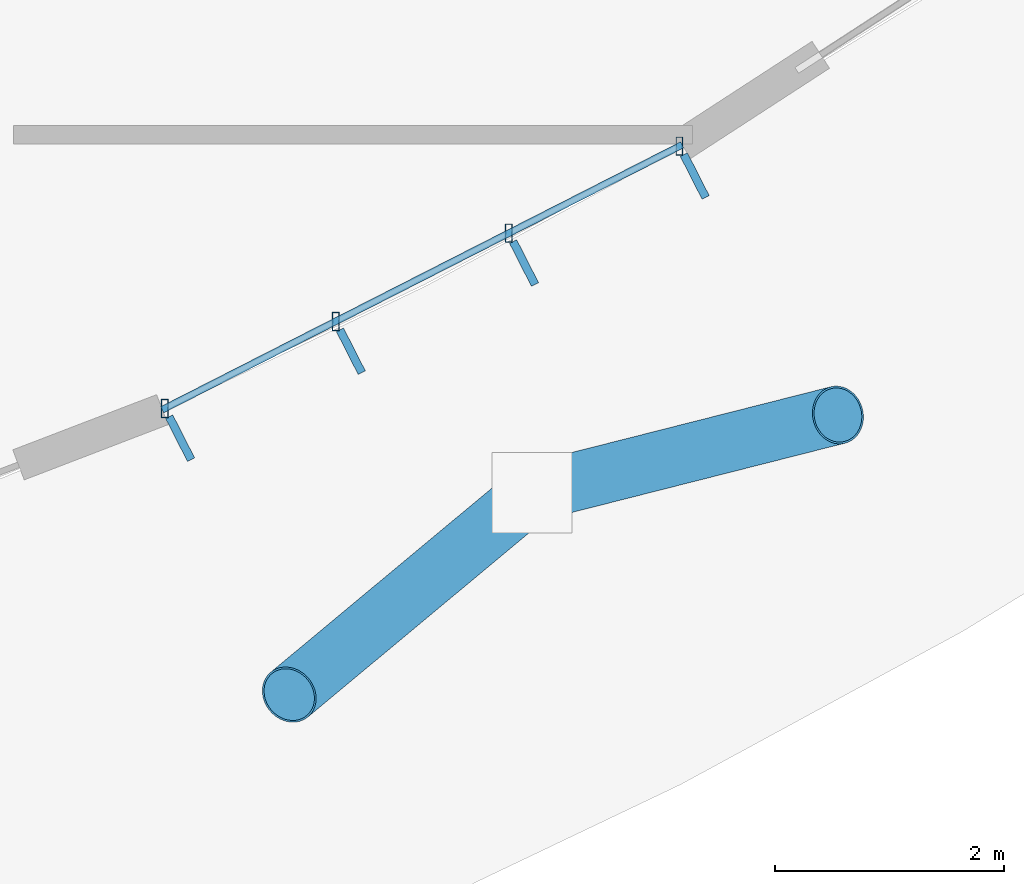
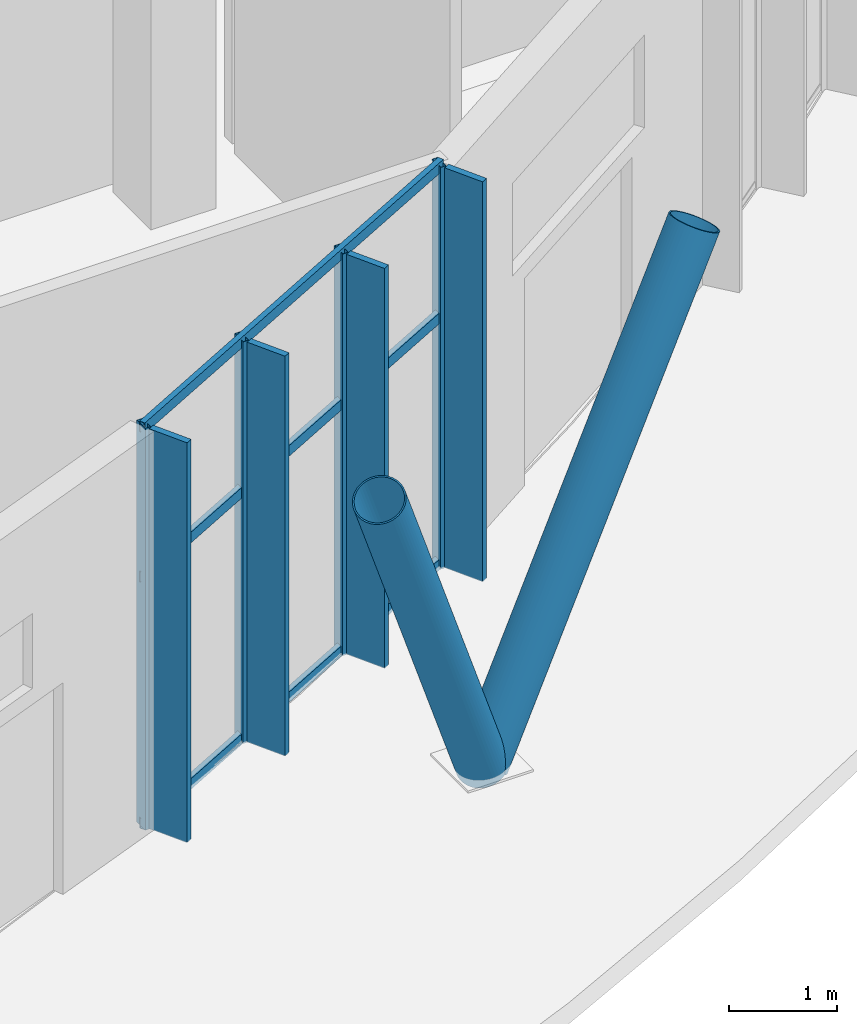
# One storey, part 69 of 151: 13 members, 1 element without a shape of its own.
"""IFC4 building model written with IfcOpenShell, lengths in metres."""

from ifc_helpers import new_model, si_unit, direction, frame, origin, origin_2d, place, context, subcontext, project, spatial, rectangle, hollow_rectangle, hollow_circle, extrude, material, material_profile, profile_set, type_object, element, aggregate, save


model = new_model("IFC4")

# Units and contexts
model_context = context("Model", 3, precision=1e-05, world=origin(), true_north=direction((0.0, 1.0)))
body_context = subcontext(model_context, "Body", "Model", "MODEL_VIEW")
ifc_project = project(units=[si_unit("LENGTHUNIT", "METRE"), si_unit("AREAUNIT", "SQUARE_METRE"), si_unit("VOLUMEUNIT", "CUBIC_METRE"), si_unit("PLANEANGLEUNIT", "RADIAN"), si_unit("MASSUNIT", "GRAM", prefix="KILO")], contexts=[model_context])

# Site, building, storey
site_placement = place(None, origin())
site = spatial("IfcSite", under=ifc_project, at=site_placement, CompositionType="ELEMENT")
building_placement = place(site_placement, origin())
building = spatial("IfcBuilding", under=site, at=building_placement, Name="Chiffa Square Polytechnic", CompositionType="ELEMENT")
storey_placement = place(building_placement, origin())
storey = spatial("IfcBuildingStorey", under=building, at=storey_placement, Name="L00", CompositionType="ELEMENT", Elevation=0.0)

# Members
ifc_material_1 = material(Name="Steel S355", Category="steel")
ifc_material_profile_1 = material_profile(ifc_material_1, hollow_circle(Radius=0.25390625, WallThickness=0.01611328125, at=origin_2d()), Name="CHS 508x16")
ifc_profile_set_1 = profile_set([ifc_material_profile_1], Name="Steel S355")
member_type_1 = type_object("IfcMemberType", Name="COL-VSTRUT-508", PredefinedType="STRUT", material=ifc_profile_set_1)
member_1_placement = place(storey_placement, frame((146.19091796875, 12.22802734375, 0.0), z_axis=(-0.382526073042, -0.318382040035, 0.867356143707), x_axis=(0.639722188078, -0.768606220428, 0.0)))
element("IfcMember", 1, at=member_1_placement, inside=storey, type_object=member_type_1, Name="Prow steel V-strut CV-V1-L00-04L", PredefinedType="STRUT", context=body_context, shape_type="SweptSolid", body=[
    extrude(hollow_circle(Radius=0.25390625, WallThickness=0.01611328125, at=origin_2d()), origin(), (0.0, 0.0, 1.0), 5.5341796875),
])
member_2_placement = place(storey_placement, frame((146.19091796875, 12.22802734375, 0.0), z_axis=(0.482339567832, 0.122338573273, 0.867399455149), x_axis=(-0.245851092901, 0.969307608615, 0.0)))
element("IfcMember", 2, at=member_2_placement, inside=storey, type_object=member_type_1, Name="Prow steel V-strut CV-V1-L00-04R", PredefinedType="STRUT", context=body_context, shape_type="SweptSolid", body=[
    extrude(hollow_circle(Radius=0.25390625, WallThickness=0.01611328125, at=origin_2d()), origin(), (0.0, 0.0, 1.0), 5.533935546875),
])

# Curtain wall, members
ifc_material_2 = material(Name="Aluminium EN AW-6060 T66 and glulam shading", Category="wood")
curtain_wall_type = type_object("IfcCurtainWallType", Name="CW-VERT-600X380", PredefinedType="USERDEFINED", material=ifc_material_2)
curtain_wall_placement = place(storey_placement, origin())
curtain_wall = element("IfcCurtainWall", 3, at=curtain_wall_placement, inside=storey, type_object=curtain_wall_type, Name="Curtain wall CW-V1-L00-004", ObjectType="CURTAIN WALL", PredefinedType="USERDEFINED")
ifc_material_3 = material(Name="Aluminium EN AW-6060 T66", Category="aluminium")
ifc_material_profile_2 = material_profile(ifc_material_3, hollow_rectangle(XDim=0.06005859375, YDim=0.159912109375, WallThickness=0.00390625, at=origin_2d()), Name="ALU 60x160x4")
ifc_profile_set_2 = profile_set([ifc_material_profile_2], Name="Aluminium EN AW-6060 T66")
member_type_2 = type_object("IfcMemberType", Name="CWM-ALU-65X150", PredefinedType="MULLION", material=ifc_profile_set_2)
member_3_placement = place(storey_placement, frame((142.989013671875, 12.962890625, -0.02001953125), z_axis=(0.0, 0.0, 1.0), x_axis=(1.0, 0.0, 0.0)))
member_3 = element("IfcMember", 4, at=member_3_placement, type_object=member_type_2, Name="Curtain wall mullion CW-V1-L00-004-M00", PredefinedType="MULLION", context=body_context, shape_type="SweptSolid", body=[
    extrude(hollow_rectangle(XDim=0.06005859375, YDim=0.159912109375, WallThickness=0.00390625, at=origin_2d()), origin(), (0.0, 0.0, 1.0), 4.554931640625),
])
member_4_placement = place(storey_placement, frame((144.47802734375, 13.721923828125, -0.02001953125), z_axis=(0.0, 0.0, 1.0), x_axis=(1.0, 0.0, 0.0)))
member_4 = element("IfcMember", 5, at=member_4_placement, type_object=member_type_2, Name="Curtain wall mullion CW-V1-L00-004-M01", PredefinedType="MULLION", context=body_context, shape_type="SweptSolid", body=[
    extrude(hollow_rectangle(XDim=0.06005859375, YDim=0.159912109375, WallThickness=0.00390625, at=origin_2d()), origin(), (0.0, 0.0, 1.0), 4.554931640625),
])
member_5_placement = place(storey_placement, frame((145.989013671875, 14.490966796875, -0.02001953125), z_axis=(0.0, 0.0, 1.0), x_axis=(1.0, 0.0, 0.0)))
member_5 = element("IfcMember", 6, at=member_5_placement, type_object=member_type_2, Name="Curtain wall mullion CW-V1-L00-004-M02", PredefinedType="MULLION", context=body_context, shape_type="SweptSolid", body=[
    extrude(hollow_rectangle(XDim=0.06005859375, YDim=0.159912109375, WallThickness=0.00390625, at=origin_2d()), origin(), (0.0, 0.0, 1.0), 4.554931640625),
])
member_6_placement = place(storey_placement, frame((147.47802734375, 15.25, -0.02001953125), z_axis=(0.0, 0.0, 1.0), x_axis=(1.0, 0.0, 0.0)))
member_6 = element("IfcMember", 7, at=member_6_placement, type_object=member_type_2, Name="Curtain wall mullion CW-V1-L00-004-M03", PredefinedType="MULLION", context=body_context, shape_type="SweptSolid", body=[
    extrude(hollow_rectangle(XDim=0.06005859375, YDim=0.159912109375, WallThickness=0.00390625, at=origin_2d()), origin(), (0.0, 0.0, 1.0), 4.554931640625),
])
ifc_material_4 = material(Name="Glulam GL28h", Category="wood")
ifc_material_profile_3 = material_profile(ifc_material_4, rectangle(XDim=0.070068359375, YDim=0.419921875, at=origin_2d()), Name="GL28h 70x420")
ifc_profile_set_3 = profile_set([ifc_material_profile_3], Name="Glulam GL28h")
member_type_3 = type_object("IfcMemberType", Name="CWM-GL-70X420", PredefinedType="MULLION", material=ifc_profile_set_3)
member_7_placement = place(storey_placement, frame((143.1220703125, 12.702880859375, -0.010009765625), z_axis=(0.0, 0.0, 1.0), x_axis=(0.891061982941, 0.453881639369, 0.0)))
member_7 = element("IfcMember", 8, at=member_7_placement, type_object=member_type_3, Name="Exterior glulam solar fin CW-V1-L00-004-FN00", PredefinedType="MULLION", context=body_context, shape_type="SweptSolid", body=[
    extrude(rectangle(XDim=0.070068359375, YDim=0.419921875, at=origin_2d()), origin(), (0.0, 0.0, 1.0), 4.534912109375),
])
member_8_placement = place(storey_placement, frame((144.611083984375, 13.4619140625, -0.010009765625), z_axis=(0.0, 0.0, 1.0), x_axis=(0.891061982941, 0.453881639369, 0.0)))
member_8 = element("IfcMember", 9, at=member_8_placement, type_object=member_type_3, Name="Exterior glulam solar fin CW-V1-L00-004-FN01", PredefinedType="MULLION", context=body_context, shape_type="SweptSolid", body=[
    extrude(rectangle(XDim=0.070068359375, YDim=0.419921875, at=origin_2d()), origin(), (0.0, 0.0, 1.0), 4.534912109375),
])
member_9_placement = place(storey_placement, frame((146.1220703125, 14.23095703125, -0.010009765625), z_axis=(0.0, 0.0, 1.0), x_axis=(0.891061982941, 0.453881639369, 0.0)))
member_9 = element("IfcMember", 10, at=member_9_placement, type_object=member_type_3, Name="Exterior glulam solar fin CW-V1-L00-004-FN02", PredefinedType="MULLION", context=body_context, shape_type="SweptSolid", body=[
    extrude(rectangle(XDim=0.070068359375, YDim=0.419921875, at=origin_2d()), origin(), (0.0, 0.0, 1.0), 4.534912109375),
])
member_10_placement = place(storey_placement, frame((147.611083984375, 14.989990234375, -0.010009765625), z_axis=(0.0, 0.0, 1.0), x_axis=(0.891061982941, 0.453881639369, 0.0)))
member_10 = element("IfcMember", 11, at=member_10_placement, type_object=member_type_3, Name="Exterior glulam solar fin CW-V1-L00-004-FN03", PredefinedType="MULLION", context=body_context, shape_type="SweptSolid", body=[
    extrude(rectangle(XDim=0.070068359375, YDim=0.419921875, at=origin_2d()), origin(), (0.0, 0.0, 1.0), 4.534912109375),
])
ifc_material_profile_4 = material_profile(ifc_material_3, hollow_rectangle(XDim=0.06005859375, YDim=0.1201171875, WallThickness=0.00390625, at=origin_2d()), Name="ALU 60x120x4")
ifc_profile_set_4 = profile_set([ifc_material_profile_4], Name="Aluminium EN AW-6060 T66")
member_type_4 = type_object("IfcMemberType", Name="CWT-ALU-65X120", PredefinedType="USERDEFINED", material=ifc_profile_set_4)
member_11_placement = place(storey_placement, frame((142.965087890625, 12.950927734375, 0.010009765625), z_axis=(0.891055231195, 0.453894894177, 0.0), x_axis=(-0.453894894177, 0.891055231195, 0.0)))
member_11 = element("IfcMember", 12, at=member_11_placement, type_object=member_type_4, Name="Curtain wall transom CW-V1-L00-004-T01", ObjectType="TRANSOM", PredefinedType="USERDEFINED", context=body_context, shape_type="SweptSolid", body=[
    extrude(hollow_rectangle(XDim=0.06005859375, YDim=0.1201171875, WallThickness=0.00390625, at=origin_2d()), origin(), (0.0, 0.0, 1.0), 5.091552734375),
])
member_12_placement = place(storey_placement, frame((142.965087890625, 12.950927734375, 2.803955078125), z_axis=(0.891055231195, 0.453894894177, 0.0), x_axis=(-0.453894894177, 0.891055231195, 0.0)))
member_12 = element("IfcMember", 13, at=member_12_placement, type_object=member_type_4, Name="Curtain wall transom CW-V1-L00-004-T02", ObjectType="TRANSOM", PredefinedType="USERDEFINED", context=body_context, shape_type="SweptSolid", body=[
    extrude(hollow_rectangle(XDim=0.06005859375, YDim=0.1201171875, WallThickness=0.00390625, at=origin_2d()), origin(), (0.0, 0.0, 1.0), 5.091552734375),
])
member_13_placement = place(storey_placement, frame((142.965087890625, 12.950927734375, 4.5048828125), z_axis=(0.891055231195, 0.453894894177, 0.0), x_axis=(-0.453894894177, 0.891055231195, 0.0)))
member_13 = element("IfcMember", 14, at=member_13_placement, type_object=member_type_4, Name="Curtain wall transom CW-V1-L00-004-T03", ObjectType="TRANSOM", PredefinedType="USERDEFINED", context=body_context, shape_type="SweptSolid", body=[
    extrude(hollow_rectangle(XDim=0.06005859375, YDim=0.1201171875, WallThickness=0.00390625, at=origin_2d()), origin(), (0.0, 0.0, 1.0), 5.091552734375),
])
aggregate(curtain_wall, [member_3, member_7, member_4, member_8, member_5, member_9, member_6, member_10, member_11, member_12, member_13])

save(model, "model.ifc")
